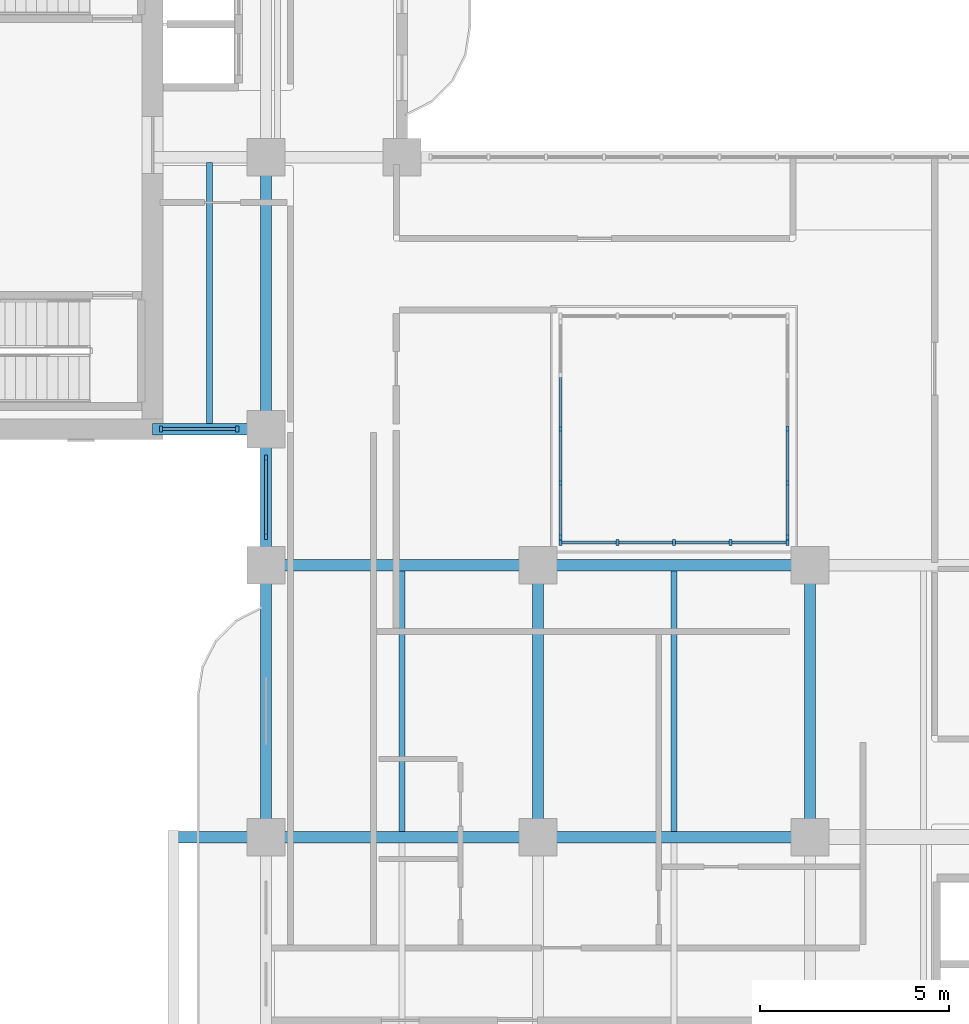
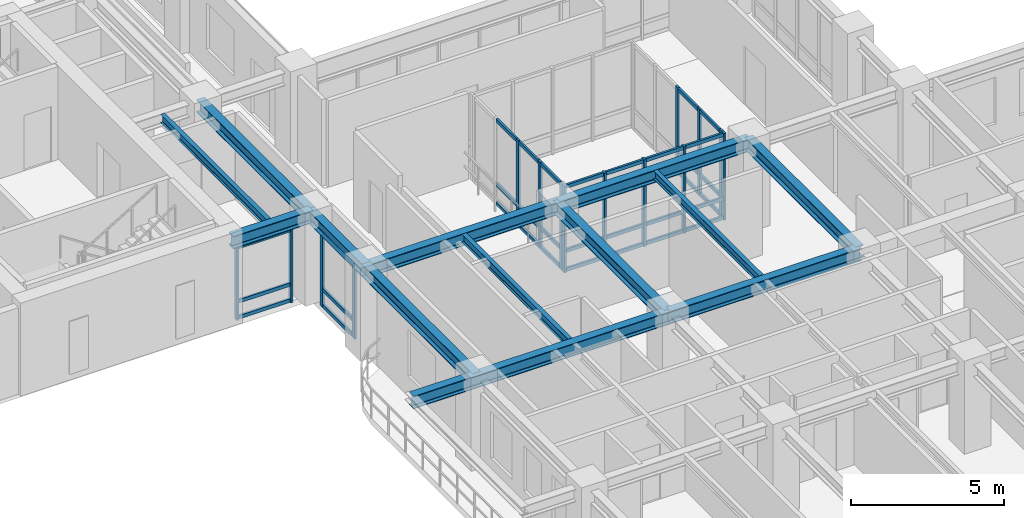
# One storey, part 2 of 19: 48 members, 13 beams, 5 elements without a shape of their own.
"""IFC4 building model written with IfcOpenShell, lengths in metres."""

from ifc_helpers import new_model, si_unit, derived_unit, direction, frame, origin, origin_2d, place, context, subcontext, project, spatial, rectangle, i_section, extrude, source, transform, mapped, material, layer, layer_set, material_profile, profile_set, type_object, type_shapes, element, aggregate, save


model = new_model("IFC4")

# Units and contexts
model_context = context("Model", 3, precision=1e-05, world=origin(), true_north=direction((0.0, 1.0)))
body_context = subcontext(model_context, "Body", "Model", "MODEL_VIEW")
ifc_project = project(units=[si_unit("LENGTHUNIT", "METRE"), si_unit("AREAUNIT", "SQUARE_METRE"), si_unit("VOLUMEUNIT", "CUBIC_METRE"), si_unit("PLANEANGLEUNIT", "RADIAN"), si_unit("MASSUNIT", "GRAM", prefix="KILO"), si_unit("THERMODYNAMICTEMPERATUREUNIT", "KELVIN"), si_unit("POWERUNIT", "WATT"), derived_unit("THERMALTRANSMITTANCEUNIT", [(si_unit("POWERUNIT", "WATT"), 1), (si_unit("AREAUNIT", "SQUARE_METRE"), -1), (si_unit("THERMODYNAMICTEMPERATUREUNIT", "KELVIN"), -1)])], contexts=[model_context])

# Site, building, storey
site_placement = place(None, origin())
site = spatial("IfcSite", under=ifc_project, at=site_placement, CompositionType="ELEMENT")
building_placement = place(site_placement, origin())
building = spatial("IfcBuilding", under=site, at=building_placement, Name="Zahravan Archway Hotel and Residences", CompositionType="ELEMENT")
storey_placement = place(building_placement, frame((0.0, 0.0, 134.0)))
storey = spatial("IfcBuildingStorey", under=building, at=storey_placement, Name="L33", CompositionType="ELEMENT", Elevation=134.0)

# Beams
ifc_material_1 = material(Name="Structural Steel S355JR", Category="steel")
ifc_material_profile_1 = material_profile(ifc_material_1, i_section(OverallWidth=0.300048828125, OverallDepth=0.5, WebThickness=0.014404296875, FlangeThickness=0.028076171875, FilletRadius=0.027099609375, at=origin_2d()), Name="HEB 500", Category="steel")
ifc_profile_set_1 = profile_set([ifc_material_profile_1], Name="Structural Steel S355JR")
beam_type_1 = type_object("IfcBeamType", Name="BM-PRI-HEB500", PredefinedType="BEAM", material=ifc_profile_set_1)
shared_shape_1 = source(origin(), body_context, "Body", "SweptSolid", [
    extrude(i_section(OverallWidth=0.300048828125, OverallDepth=0.5, WebThickness=0.014404296875, FlangeThickness=0.028076171875, FilletRadius=0.027099609375, at=origin_2d()), origin(), (0.0, 0.0, 1.0), 7.2001953125),
])
type_shapes(beam_type_1, [shared_shape_1])
for number, where, z_axis, x_axis, name in (
    (1, (14.39990234375, 21.60009765625, 3.199951171875), (1.0, 0.0, 0.0), (0.0, 1.0, 0.0), "L33 Primary Girder EW-11"),
    (2, (14.39990234375, 14.39990234375, 3.199951171875), (0.0, 1.0, 0.0), (-1.0, 0.0, 0.0), "L33 Primary Girder NS-30"),
    (3, (21.60009765625, 14.39990234375, 3.199951171875), (0.0, 1.0, 0.0), (-1.0, 0.0, 0.0), "L33 Primary Girder NS-37"),
    (4, (28.800048828125, 14.39990234375, 3.199951171875), (0.0, 1.0, 0.0), (-1.0, 0.0, 0.0), "L33 Primary Girder NS-40"),
):
    element("IfcBeam", number, at=place(storey_placement, frame(where, z_axis=z_axis, x_axis=x_axis)), inside=storey, type_object=beam_type_1, Name=name, PredefinedType="BEAM", context=body_context, shape_type="MappedRepresentation", body=[
        mapped(shared_shape_1, transform((0.0, 0.0, 0.0), scale=1.0)),
    ])
shared_shape_2 = source(origin(), body_context, "Body", "SweptSolid", [
    extrude(i_section(OverallWidth=0.300048828125, OverallDepth=0.5, WebThickness=0.014404296875, FlangeThickness=0.028076171875, FilletRadius=0.027099609375, at=origin_2d()), origin(), (0.0, 0.0, 1.0), 7.199951171875),
])
for number, where, z_axis, x_axis, name in (
    (5, (21.60009765625, 14.39990234375, 3.199951171875), (1.0, 0.0, 0.0), (0.0, 1.0, 0.0), "L33 Primary Girder EW-10"),
    (6, (21.60009765625, 21.60009765625, 3.199951171875), (1.0, 0.0, 0.0), (0.0, 1.0, 0.0), "L33 Primary Girder EW-12"),
    (7, (14.39990234375, 25.199951171875, 3.199951171875), (0.0, 1.0, 0.0), (-1.0, 0.0, 0.0), "L33 Primary Girder NS-32"),
):
    element("IfcBeam", number, at=place(storey_placement, frame(where, z_axis=z_axis, x_axis=x_axis)), inside=storey, type_object=beam_type_1, Name=name, PredefinedType="BEAM", context=body_context, shape_type="MappedRepresentation", body=[
        mapped(shared_shape_2, transform((0.0, 0.0, 0.0), scale=1.0)),
    ])
shared_shape_3 = source(origin(), body_context, "Body", "SweptSolid", [
    extrude(i_section(OverallWidth=0.300048828125, OverallDepth=0.5, WebThickness=0.014404296875, FlangeThickness=0.028076171875, FilletRadius=0.027099609375, at=origin_2d()), origin(), (0.0, 0.0, 1.0), 9.650146484375),
])
beam_1_placement = place(storey_placement, frame((11.949951171875, 14.39990234375, 3.199951171875), z_axis=(1.0, 0.0, 0.0), x_axis=(0.0, 1.0, 0.0)))
element("IfcBeam", 8, at=beam_1_placement, inside=storey, type_object=beam_type_1, Name="L33 Primary Girder EW-09", PredefinedType="BEAM", context=body_context, shape_type="MappedRepresentation", body=[
    mapped(shared_shape_3, transform((0.0, 0.0, 0.0), scale=1.0)),
])
shared_shape_4 = source(origin(), body_context, "Body", "SweptSolid", [
    extrude(i_section(OverallWidth=0.300048828125, OverallDepth=0.5, WebThickness=0.014404296875, FlangeThickness=0.028076171875, FilletRadius=0.027099609375, at=origin_2d()), origin(), (0.0, 0.0, 1.0), 3.0),
])
beam_2_placement = place(storey_placement, frame((11.39990234375, 25.199951171875, 3.199951171875), z_axis=(1.0, 0.0, 0.0), x_axis=(0.0, 1.0, 0.0)))
element("IfcBeam", 9, at=beam_2_placement, inside=storey, type_object=beam_type_1, Name="L33 Primary Girder EW-16", PredefinedType="BEAM", context=body_context, shape_type="MappedRepresentation", body=[
    mapped(shared_shape_4, transform((0.0, 0.0, 0.0), scale=1.0)),
])
shared_shape_5 = source(origin(), body_context, "Body", "SweptSolid", [
    extrude(i_section(OverallWidth=0.300048828125, OverallDepth=0.5, WebThickness=0.014404296875, FlangeThickness=0.028076171875, FilletRadius=0.027099609375, at=origin_2d()), origin(), (0.0, 0.0, 1.0), 3.599853515625),
])
beam_3_placement = place(storey_placement, frame((14.39990234375, 21.60009765625, 3.199951171875), z_axis=(0.0, 1.0, 0.0), x_axis=(-1.0, 0.0, 0.0)))
element("IfcBeam", 10, at=beam_3_placement, inside=storey, type_object=beam_type_1, Name="L33 Primary Girder NS-31", PredefinedType="BEAM", context=body_context, shape_type="MappedRepresentation", body=[
    mapped(shared_shape_5, transform((0.0, 0.0, 0.0), scale=1.0)),
])
ifc_material_profile_2 = material_profile(ifc_material_1, i_section(OverallWidth=0.159912109375, OverallDepth=0.330078125, WebThickness=0.007568359375, FlangeThickness=0.011474609375, FilletRadius=0.01806640625, at=origin_2d()), Name="IPE 330", Category="steel")
ifc_profile_set_2 = profile_set([ifc_material_profile_2], Name="Structural Steel S355JR")
beam_type_2 = type_object("IfcBeamType", Name="BM-JST-IPE330", PredefinedType="JOIST", material=ifc_profile_set_2)
shared_shape_6 = source(origin(), body_context, "Body", "SweptSolid", [
    extrude(i_section(OverallWidth=0.159912109375, OverallDepth=0.330078125, WebThickness=0.007568359375, FlangeThickness=0.011474609375, FilletRadius=0.01806640625, at=origin_2d()), origin(), (0.0, 0.0, 1.0), 6.904052734375),
])
type_shapes(beam_type_2, [shared_shape_6])
beam_4_placement = place(storey_placement, frame((12.89990234375, 25.347900390625, 3.284912109375), z_axis=(0.0, 1.0, 0.0), x_axis=(-1.0, 0.0, 0.0)))
element("IfcBeam", 11, at=beam_4_placement, inside=storey, type_object=beam_type_2, Name="L33 Composite Floor Joist 10", PredefinedType="JOIST", context=body_context, shape_type="MappedRepresentation", body=[
    mapped(shared_shape_6, transform((0.0, 0.0, 0.0), scale=1.0)),
])
shared_shape_7 = source(origin(), body_context, "Body", "SweptSolid", [
    extrude(i_section(OverallWidth=0.159912109375, OverallDepth=0.330078125, WebThickness=0.007568359375, FlangeThickness=0.011474609375, FilletRadius=0.01806640625, at=origin_2d()), origin(), (0.0, 0.0, 1.0), 6.90380859375),
])
for number, where, z_axis, x_axis, name in (
    (12, (18.0, 14.548095703125, 3.284912109375), (0.0, 1.0, 0.0), (-1.0, 0.0, 0.0), "L33 Composite Floor Joist 08"),
    (13, (25.199951171875, 14.548095703125, 3.284912109375), (0.0, 1.0, 0.0), (-1.0, 0.0, 0.0), "L33 Composite Floor Joist 09"),
):
    element("IfcBeam", number, at=place(storey_placement, frame(where, z_axis=z_axis, x_axis=x_axis)), inside=storey, type_object=beam_type_2, Name=name, PredefinedType="JOIST", context=body_context, shape_type="MappedRepresentation", body=[
        mapped(shared_shape_7, transform((0.0, 0.0, 0.0), scale=1.0)),
    ])

# Curtain wall, members
ifc_material_2 = material(Name="Bronze-Anodized Unitised Aluminium & Low-E Glass", Category="aluminium")
ifc_layer = layer(ifc_material_2, 0.179931640625, Name="Bronze-Anodized Unitised Aluminium & Low-E Glass", Category="aluminium")
ifc_layer_set = layer_set([ifc_layer], Name="Bronze-Anodized Unitised Aluminium & Low-E Glass")
curtain_wall_type = type_object("IfcCurtainWallType", Name="CW-ATR-GLAZ", PredefinedType="NOTDEFINED", material=ifc_layer_set)
curtain_wall_1_placement = place(storey_placement, origin())
curtain_wall_1 = element("IfcCurtainWall", 14, at=curtain_wall_1_placement, inside=storey, type_object=curtain_wall_type, Name="L33 Curtain Wall CW-L33-WB-SE-1", PredefinedType="NOTDEFINED")
ifc_material_3 = material(Name="Bronze-Anodized Extruded Aluminium", Category="aluminium")
ifc_material_profile_3 = material_profile(ifc_material_3, rectangle(XDim=0.080078125, YDim=0.139892578125, at=origin_2d()), Name="TRN 80x140", Category="aluminium")
ifc_profile_set_3 = profile_set([ifc_material_profile_3], Name="Bronze-Anodized Extruded Aluminium")
member_type_1 = type_object("IfcMemberType", Name="CWM-TRN-140", PredefinedType="USERDEFINED", material=ifc_profile_set_3)
shared_shape_8 = source(origin(), body_context, "Body", "SweptSolid", [
    extrude(rectangle(XDim=0.080078125, YDim=0.139892578125, at=origin_2d()), origin(), (0.0, 0.0, 1.0), 1.940185546875),
])
member_1_placement = place(storey_placement, frame((11.659912109375, 25.199951171875, 0.070068359375), z_axis=(1.0, 0.0, 0.0), x_axis=(0.0, 1.0, 0.0)))
member_1 = element("IfcMember", 15, at=member_1_placement, type_object=member_type_1, Name="CW-L33-WB-SE-1 Transom 0-1", ObjectType="TRANSOM", PredefinedType="USERDEFINED", context=body_context, shape_type="MappedRepresentation", body=[
    mapped(shared_shape_8, transform((0.0, 0.0, 0.0), scale=1.0)),
])
member_2_placement = place(storey_placement, frame((11.659912109375, 25.199951171875, 0.704345703125), z_axis=(1.0, 0.0, 0.0), x_axis=(0.0, 1.0, 0.0)))
member_2 = element("IfcMember", 16, at=member_2_placement, type_object=member_type_1, Name="CW-L33-WB-SE-1 Transom 0-2", ObjectType="TRANSOM", PredefinedType="USERDEFINED", context=body_context, shape_type="MappedRepresentation", body=[
    mapped(shared_shape_8, transform((0.0, 0.0, 0.0), scale=1.0)),
])
member_3_placement = place(storey_placement, frame((11.659912109375, 25.199951171875, 2.864990234375), z_axis=(1.0, 0.0, 0.0), x_axis=(0.0, 1.0, 0.0)))
member_3 = element("IfcMember", 17, at=member_3_placement, type_object=member_type_1, Name="CW-L33-WB-SE-1 Transom 0-3", ObjectType="TRANSOM", PredefinedType="USERDEFINED", context=body_context, shape_type="MappedRepresentation", body=[
    mapped(shared_shape_8, transform((0.0, 0.0, 0.0), scale=1.0)),
])

curtain_wall_2_placement = place(storey_placement, origin())
curtain_wall_2 = element("IfcCurtainWall", 18, at=curtain_wall_2_placement, inside=storey, type_object=curtain_wall_type, Name="L33 Curtain Wall CW-L33-WA-WLU-1", PredefinedType="NOTDEFINED")
shared_shape_9 = source(origin(), body_context, "Body", "SweptSolid", [
    extrude(rectangle(XDim=0.080078125, YDim=0.139892578125, at=origin_2d()), origin(), (0.0, 0.0, 1.0), 2.0),
])
member_4_placement = place(storey_placement, frame((14.39990234375, 22.39990234375, 0.070068359375), z_axis=(0.0, 1.0, 0.0), x_axis=(-1.0, 0.0, 0.0)))
member_4 = element("IfcMember", 19, at=member_4_placement, type_object=member_type_1, Name="CW-L33-WA-WLU-1 Transom 0-1", ObjectType="TRANSOM", PredefinedType="USERDEFINED", context=body_context, shape_type="MappedRepresentation", body=[
    mapped(shared_shape_9, transform((0.0, 0.0, 0.0), scale=1.0)),
])
member_5_placement = place(storey_placement, frame((14.39990234375, 22.39990234375, 0.704345703125), z_axis=(0.0, 1.0, 0.0), x_axis=(-1.0, 0.0, 0.0)))
member_5 = element("IfcMember", 20, at=member_5_placement, type_object=member_type_1, Name="CW-L33-WA-WLU-1 Transom 0-2", ObjectType="TRANSOM", PredefinedType="USERDEFINED", context=body_context, shape_type="MappedRepresentation", body=[
    mapped(shared_shape_9, transform((0.0, 0.0, 0.0), scale=1.0)),
])
member_6_placement = place(storey_placement, frame((14.39990234375, 22.39990234375, 2.864990234375), z_axis=(0.0, 1.0, 0.0), x_axis=(-1.0, 0.0, 0.0)))
member_6 = element("IfcMember", 21, at=member_6_placement, type_object=member_type_1, Name="CW-L33-WA-WLU-1 Transom 0-3", ObjectType="TRANSOM", PredefinedType="USERDEFINED", context=body_context, shape_type="MappedRepresentation", body=[
    mapped(shared_shape_9, transform((0.0, 0.0, 0.0), scale=1.0)),
])

curtain_wall_3_placement = place(storey_placement, origin())
curtain_wall_3 = element("IfcCurtainWall", 22, at=curtain_wall_3_placement, inside=storey, type_object=curtain_wall_type, Name="L33 Curtain Wall CW-ATR-L33-S-1", PredefinedType="NOTDEFINED")
ifc_material_profile_4 = material_profile(ifc_material_3, rectangle(XDim=0.080078125, YDim=0.159912109375, at=origin_2d()), Name="MUL 80x160", Category="aluminium")
ifc_profile_set_4 = profile_set([ifc_material_profile_4], Name="Bronze-Anodized Extruded Aluminium")
member_type_2 = type_object("IfcMemberType", Name="CWM-MUL-160", PredefinedType="MULLION", material=ifc_profile_set_4)
shared_shape_10 = source(origin(), body_context, "Body", "SweptSolid", [
    extrude(rectangle(XDim=0.080078125, YDim=0.159912109375, at=origin_2d()), origin(), (0.0, 0.0, 1.0), 3.449951171875),
])
member_7_placement = place(storey_placement, frame((22.199951171875, 22.199951171875, 0.0), z_axis=(0.0, 0.0, 1.0), x_axis=(1.0, 0.0, 0.0)))
member_7 = element("IfcMember", 23, at=member_7_placement, type_object=member_type_2, Name="CW-ATR-L33-S-1 Mullion 0", PredefinedType="MULLION", context=body_context, shape_type="MappedRepresentation", body=[
    mapped(shared_shape_10, transform((0.0, 0.0, 0.0), scale=1.0)),
])
member_8_placement = place(storey_placement, frame((23.699951171875, 22.199951171875, 0.0), z_axis=(0.0, 0.0, 1.0), x_axis=(1.0, 0.0, 0.0)))
member_8 = element("IfcMember", 24, at=member_8_placement, type_object=member_type_2, Name="CW-ATR-L33-S-1 Mullion 1", PredefinedType="MULLION", context=body_context, shape_type="MappedRepresentation", body=[
    mapped(shared_shape_10, transform((0.0, 0.0, 0.0), scale=1.0)),
])
member_9_placement = place(storey_placement, frame((25.199951171875, 22.199951171875, 0.0), z_axis=(0.0, 0.0, 1.0), x_axis=(1.0, 0.0, 0.0)))
member_9 = element("IfcMember", 25, at=member_9_placement, type_object=member_type_2, Name="CW-ATR-L33-S-1 Mullion 2", PredefinedType="MULLION", context=body_context, shape_type="MappedRepresentation", body=[
    mapped(shared_shape_10, transform((0.0, 0.0, 0.0), scale=1.0)),
])
member_10_placement = place(storey_placement, frame((26.699951171875, 22.199951171875, 0.0), z_axis=(0.0, 0.0, 1.0), x_axis=(1.0, 0.0, 0.0)))
member_10 = element("IfcMember", 26, at=member_10_placement, type_object=member_type_2, Name="CW-ATR-L33-S-1 Mullion 3", PredefinedType="MULLION", context=body_context, shape_type="MappedRepresentation", body=[
    mapped(shared_shape_10, transform((0.0, 0.0, 0.0), scale=1.0)),
])
member_11_placement = place(storey_placement, frame((28.199951171875, 22.199951171875, 0.0), z_axis=(0.0, 0.0, 1.0), x_axis=(1.0, 0.0, 0.0)))
member_11 = element("IfcMember", 27, at=member_11_placement, type_object=member_type_2, Name="CW-ATR-L33-S-1 Mullion 4", PredefinedType="MULLION", context=body_context, shape_type="MappedRepresentation", body=[
    mapped(shared_shape_10, transform((0.0, 0.0, 0.0), scale=1.0)),
])

curtain_wall_4_placement = place(storey_placement, origin())
curtain_wall_4 = element("IfcCurtainWall", 28, at=curtain_wall_4_placement, inside=storey, type_object=curtain_wall_type, Name="L33 Curtain Wall CW-ATR-L33-W-1", PredefinedType="NOTDEFINED")
member_12_placement = place(storey_placement, frame((22.199951171875, 22.35009765625, 0.0), z_axis=(0.0, 0.0, 1.0), x_axis=(1.0, 0.0, 0.0)))
member_12 = element("IfcMember", 29, at=member_12_placement, type_object=member_type_2, Name="CW-ATR-L33-W-1 Mullion 0", PredefinedType="MULLION", context=body_context, shape_type="MappedRepresentation", body=[
    mapped(shared_shape_10, transform((0.0, 0.0, 0.0), scale=1.0)),
])
member_13_placement = place(storey_placement, frame((22.199951171875, 23.77490234375, 0.0), z_axis=(0.0, 0.0, 1.0), x_axis=(1.0, 0.0, 0.0)))
member_13 = element("IfcMember", 30, at=member_13_placement, type_object=member_type_2, Name="CW-ATR-L33-W-1 Mullion 1", PredefinedType="MULLION", context=body_context, shape_type="MappedRepresentation", body=[
    mapped(shared_shape_10, transform((0.0, 0.0, 0.0), scale=1.0)),
])
member_14_placement = place(storey_placement, frame((22.199951171875, 25.199951171875, 0.0), z_axis=(0.0, 0.0, 1.0), x_axis=(1.0, 0.0, 0.0)))
member_14 = element("IfcMember", 31, at=member_14_placement, type_object=member_type_2, Name="CW-ATR-L33-W-1 Mullion 2", PredefinedType="MULLION", context=body_context, shape_type="MappedRepresentation", body=[
    mapped(shared_shape_10, transform((0.0, 0.0, 0.0), scale=1.0)),
])

curtain_wall_5_placement = place(storey_placement, origin())
curtain_wall_5 = element("IfcCurtainWall", 32, at=curtain_wall_5_placement, inside=storey, type_object=curtain_wall_type, Name="L33 Curtain Wall CW-ATR-L33-E-1", PredefinedType="NOTDEFINED")
member_15_placement = place(storey_placement, frame((28.199951171875, 22.35009765625, 0.0), z_axis=(0.0, 0.0, 1.0), x_axis=(1.0, 0.0, 0.0)))
member_15 = element("IfcMember", 33, at=member_15_placement, type_object=member_type_2, Name="CW-ATR-L33-E-1 Mullion 0", PredefinedType="MULLION", context=body_context, shape_type="MappedRepresentation", body=[
    mapped(shared_shape_10, transform((0.0, 0.0, 0.0), scale=1.0)),
])
member_16_placement = place(storey_placement, frame((28.199951171875, 23.77490234375, 0.0), z_axis=(0.0, 0.0, 1.0), x_axis=(1.0, 0.0, 0.0)))
member_16 = element("IfcMember", 34, at=member_16_placement, type_object=member_type_2, Name="CW-ATR-L33-E-1 Mullion 1", PredefinedType="MULLION", context=body_context, shape_type="MappedRepresentation", body=[
    mapped(shared_shape_10, transform((0.0, 0.0, 0.0), scale=1.0)),
])
member_17_placement = place(storey_placement, frame((28.199951171875, 25.199951171875, 0.0), z_axis=(0.0, 0.0, 1.0), x_axis=(1.0, 0.0, 0.0)))
member_17 = element("IfcMember", 35, at=member_17_placement, type_object=member_type_2, Name="CW-ATR-L33-E-1 Mullion 2", PredefinedType="MULLION", context=body_context, shape_type="MappedRepresentation", body=[
    mapped(shared_shape_10, transform((0.0, 0.0, 0.0), scale=1.0)),
])

# Member
shared_shape_11 = source(origin(), body_context, "Body", "SweptSolid", [
    extrude(rectangle(XDim=0.080078125, YDim=0.139892578125, at=origin_2d()), origin(), (0.0, 0.0, 1.0), 1.419921875),
])
member_18_placement = place(storey_placement, frame((22.239990234375, 22.199951171875, 0.070068359375), z_axis=(1.0, 0.0, 0.0), x_axis=(0.0, 1.0, 0.0)))
member_18 = element("IfcMember", 36, at=member_18_placement, type_object=member_type_1, Name="CW-ATR-L33-S-1 Transom 0-1", ObjectType="TRANSOM", PredefinedType="USERDEFINED", context=body_context, shape_type="MappedRepresentation", body=[
    mapped(shared_shape_11, transform((0.0, 0.0, 0.0), scale=1.0)),
])

member_19_placement = place(storey_placement, frame((22.239990234375, 22.199951171875, 0.827880859375), z_axis=(1.0, 0.0, 0.0), x_axis=(0.0, 1.0, 0.0)))
member_19 = element("IfcMember", 37, at=member_19_placement, type_object=member_type_1, Name="CW-ATR-L33-S-1 Transom 0-2", ObjectType="TRANSOM", PredefinedType="USERDEFINED", context=body_context, shape_type="MappedRepresentation", body=[
    mapped(shared_shape_11, transform((0.0, 0.0, 0.0), scale=1.0)),
])

member_20_placement = place(storey_placement, frame((22.239990234375, 22.199951171875, 3.3798828125), z_axis=(1.0, 0.0, 0.0), x_axis=(0.0, 1.0, 0.0)))
member_20 = element("IfcMember", 38, at=member_20_placement, type_object=member_type_1, Name="CW-ATR-L33-S-1 Transom 0-3", ObjectType="TRANSOM", PredefinedType="USERDEFINED", context=body_context, shape_type="MappedRepresentation", body=[
    mapped(shared_shape_11, transform((0.0, 0.0, 0.0), scale=1.0)),
])

member_21_placement = place(storey_placement, frame((23.739990234375, 22.199951171875, 0.070068359375), z_axis=(1.0, 0.0, 0.0), x_axis=(0.0, 1.0, 0.0)))
member_21 = element("IfcMember", 39, at=member_21_placement, type_object=member_type_1, Name="CW-ATR-L33-S-1 Transom 1-1", ObjectType="TRANSOM", PredefinedType="USERDEFINED", context=body_context, shape_type="MappedRepresentation", body=[
    mapped(shared_shape_11, transform((0.0, 0.0, 0.0), scale=1.0)),
])

member_22_placement = place(storey_placement, frame((23.739990234375, 22.199951171875, 0.827880859375), z_axis=(1.0, 0.0, 0.0), x_axis=(0.0, 1.0, 0.0)))
member_22 = element("IfcMember", 40, at=member_22_placement, type_object=member_type_1, Name="CW-ATR-L33-S-1 Transom 1-2", ObjectType="TRANSOM", PredefinedType="USERDEFINED", context=body_context, shape_type="MappedRepresentation", body=[
    mapped(shared_shape_11, transform((0.0, 0.0, 0.0), scale=1.0)),
])

member_23_placement = place(storey_placement, frame((23.739990234375, 22.199951171875, 3.3798828125), z_axis=(1.0, 0.0, 0.0), x_axis=(0.0, 1.0, 0.0)))
member_23 = element("IfcMember", 41, at=member_23_placement, type_object=member_type_1, Name="CW-ATR-L33-S-1 Transom 1-3", ObjectType="TRANSOM", PredefinedType="USERDEFINED", context=body_context, shape_type="MappedRepresentation", body=[
    mapped(shared_shape_11, transform((0.0, 0.0, 0.0), scale=1.0)),
])

member_24_placement = place(storey_placement, frame((25.239990234375, 22.199951171875, 0.070068359375), z_axis=(1.0, 0.0, 0.0), x_axis=(0.0, 1.0, 0.0)))
member_24 = element("IfcMember", 42, at=member_24_placement, type_object=member_type_1, Name="CW-ATR-L33-S-1 Transom 2-1", ObjectType="TRANSOM", PredefinedType="USERDEFINED", context=body_context, shape_type="MappedRepresentation", body=[
    mapped(shared_shape_11, transform((0.0, 0.0, 0.0), scale=1.0)),
])

member_25_placement = place(storey_placement, frame((25.239990234375, 22.199951171875, 0.827880859375), z_axis=(1.0, 0.0, 0.0), x_axis=(0.0, 1.0, 0.0)))
member_25 = element("IfcMember", 43, at=member_25_placement, type_object=member_type_1, Name="CW-ATR-L33-S-1 Transom 2-2", ObjectType="TRANSOM", PredefinedType="USERDEFINED", context=body_context, shape_type="MappedRepresentation", body=[
    mapped(shared_shape_11, transform((0.0, 0.0, 0.0), scale=1.0)),
])

member_26_placement = place(storey_placement, frame((25.239990234375, 22.199951171875, 3.3798828125), z_axis=(1.0, 0.0, 0.0), x_axis=(0.0, 1.0, 0.0)))
member_26 = element("IfcMember", 44, at=member_26_placement, type_object=member_type_1, Name="CW-ATR-L33-S-1 Transom 2-3", ObjectType="TRANSOM", PredefinedType="USERDEFINED", context=body_context, shape_type="MappedRepresentation", body=[
    mapped(shared_shape_11, transform((0.0, 0.0, 0.0), scale=1.0)),
])

member_27_placement = place(storey_placement, frame((26.739990234375, 22.199951171875, 0.070068359375), z_axis=(1.0, 0.0, 0.0), x_axis=(0.0, 1.0, 0.0)))
member_27 = element("IfcMember", 45, at=member_27_placement, type_object=member_type_1, Name="CW-ATR-L33-S-1 Transom 3-1", ObjectType="TRANSOM", PredefinedType="USERDEFINED", context=body_context, shape_type="MappedRepresentation", body=[
    mapped(shared_shape_11, transform((0.0, 0.0, 0.0), scale=1.0)),
])

member_28_placement = place(storey_placement, frame((26.739990234375, 22.199951171875, 0.827880859375), z_axis=(1.0, 0.0, 0.0), x_axis=(0.0, 1.0, 0.0)))
member_28 = element("IfcMember", 46, at=member_28_placement, type_object=member_type_1, Name="CW-ATR-L33-S-1 Transom 3-2", ObjectType="TRANSOM", PredefinedType="USERDEFINED", context=body_context, shape_type="MappedRepresentation", body=[
    mapped(shared_shape_11, transform((0.0, 0.0, 0.0), scale=1.0)),
])

member_29_placement = place(storey_placement, frame((26.739990234375, 22.199951171875, 3.3798828125), z_axis=(1.0, 0.0, 0.0), x_axis=(0.0, 1.0, 0.0)))
member_29 = element("IfcMember", 47, at=member_29_placement, type_object=member_type_1, Name="CW-ATR-L33-S-1 Transom 3-3", ObjectType="TRANSOM", PredefinedType="USERDEFINED", context=body_context, shape_type="MappedRepresentation", body=[
    mapped(shared_shape_11, transform((0.0, 0.0, 0.0), scale=1.0)),
])

aggregate(curtain_wall_3, [member_7, member_8, member_9, member_10, member_11, member_18, member_19, member_20, member_21, member_22, member_23, member_24, member_25, member_26, member_27, member_28, member_29])

shared_shape_12 = source(origin(), body_context, "Body", "SweptSolid", [
    extrude(rectangle(XDim=0.080078125, YDim=0.139892578125, at=origin_2d()), origin(), (0.0, 0.0, 1.0), 1.34521484375),
])
member_30_placement = place(storey_placement, frame((22.199951171875, 22.389892578125, 0.070068359375), z_axis=(0.0, 1.0, 0.0), x_axis=(-1.0, 0.0, 0.0)))
member_30 = element("IfcMember", 48, at=member_30_placement, type_object=member_type_1, Name="CW-ATR-L33-W-1 Transom 0-1", ObjectType="TRANSOM", PredefinedType="USERDEFINED", context=body_context, shape_type="MappedRepresentation", body=[
    mapped(shared_shape_12, transform((0.0, 0.0, 0.0), scale=1.0)),
])

member_31_placement = place(storey_placement, frame((22.199951171875, 22.389892578125, 0.827880859375), z_axis=(0.0, 1.0, 0.0), x_axis=(-1.0, 0.0, 0.0)))
member_31 = element("IfcMember", 49, at=member_31_placement, type_object=member_type_1, Name="CW-ATR-L33-W-1 Transom 0-2", ObjectType="TRANSOM", PredefinedType="USERDEFINED", context=body_context, shape_type="MappedRepresentation", body=[
    mapped(shared_shape_12, transform((0.0, 0.0, 0.0), scale=1.0)),
])

member_32_placement = place(storey_placement, frame((22.199951171875, 22.389892578125, 3.3798828125), z_axis=(0.0, 1.0, 0.0), x_axis=(-1.0, 0.0, 0.0)))
member_32 = element("IfcMember", 50, at=member_32_placement, type_object=member_type_1, Name="CW-ATR-L33-W-1 Transom 0-3", ObjectType="TRANSOM", PredefinedType="USERDEFINED", context=body_context, shape_type="MappedRepresentation", body=[
    mapped(shared_shape_12, transform((0.0, 0.0, 0.0), scale=1.0)),
])

member_33_placement = place(storey_placement, frame((28.199951171875, 22.389892578125, 0.070068359375), z_axis=(0.0, 1.0, 0.0), x_axis=(-1.0, 0.0, 0.0)))
member_33 = element("IfcMember", 51, at=member_33_placement, type_object=member_type_1, Name="CW-ATR-L33-E-1 Transom 0-1", ObjectType="TRANSOM", PredefinedType="USERDEFINED", context=body_context, shape_type="MappedRepresentation", body=[
    mapped(shared_shape_12, transform((0.0, 0.0, 0.0), scale=1.0)),
])

member_34_placement = place(storey_placement, frame((28.199951171875, 22.389892578125, 0.827880859375), z_axis=(0.0, 1.0, 0.0), x_axis=(-1.0, 0.0, 0.0)))
member_34 = element("IfcMember", 52, at=member_34_placement, type_object=member_type_1, Name="CW-ATR-L33-E-1 Transom 0-2", ObjectType="TRANSOM", PredefinedType="USERDEFINED", context=body_context, shape_type="MappedRepresentation", body=[
    mapped(shared_shape_12, transform((0.0, 0.0, 0.0), scale=1.0)),
])

member_35_placement = place(storey_placement, frame((28.199951171875, 22.389892578125, 3.3798828125), z_axis=(0.0, 1.0, 0.0), x_axis=(-1.0, 0.0, 0.0)))
member_35 = element("IfcMember", 53, at=member_35_placement, type_object=member_type_1, Name="CW-ATR-L33-E-1 Transom 0-3", ObjectType="TRANSOM", PredefinedType="USERDEFINED", context=body_context, shape_type="MappedRepresentation", body=[
    mapped(shared_shape_12, transform((0.0, 0.0, 0.0), scale=1.0)),
])

shared_shape_13 = source(origin(), body_context, "Body", "SweptSolid", [
    extrude(rectangle(XDim=0.080078125, YDim=0.139892578125, at=origin_2d()), origin(), (0.0, 0.0, 1.0), 1.344970703125),
])
member_36_placement = place(storey_placement, frame((22.199951171875, 23.81494140625, 0.070068359375), z_axis=(0.0, 1.0, 0.0), x_axis=(-1.0, 0.0, 0.0)))
member_36 = element("IfcMember", 54, at=member_36_placement, type_object=member_type_1, Name="CW-ATR-L33-W-1 Transom 1-1", ObjectType="TRANSOM", PredefinedType="USERDEFINED", context=body_context, shape_type="MappedRepresentation", body=[
    mapped(shared_shape_13, transform((0.0, 0.0, 0.0), scale=1.0)),
])

member_37_placement = place(storey_placement, frame((22.199951171875, 23.81494140625, 0.827880859375), z_axis=(0.0, 1.0, 0.0), x_axis=(-1.0, 0.0, 0.0)))
member_37 = element("IfcMember", 55, at=member_37_placement, type_object=member_type_1, Name="CW-ATR-L33-W-1 Transom 1-2", ObjectType="TRANSOM", PredefinedType="USERDEFINED", context=body_context, shape_type="MappedRepresentation", body=[
    mapped(shared_shape_13, transform((0.0, 0.0, 0.0), scale=1.0)),
])

member_38_placement = place(storey_placement, frame((22.199951171875, 23.81494140625, 3.3798828125), z_axis=(0.0, 1.0, 0.0), x_axis=(-1.0, 0.0, 0.0)))
member_38 = element("IfcMember", 56, at=member_38_placement, type_object=member_type_1, Name="CW-ATR-L33-W-1 Transom 1-3", ObjectType="TRANSOM", PredefinedType="USERDEFINED", context=body_context, shape_type="MappedRepresentation", body=[
    mapped(shared_shape_13, transform((0.0, 0.0, 0.0), scale=1.0)),
])

member_39_placement = place(storey_placement, frame((22.199951171875, 25.239990234375, 0.070068359375), z_axis=(0.0, 1.0, 0.0), x_axis=(-1.0, 0.0, 0.0)))
member_39 = element("IfcMember", 57, at=member_39_placement, type_object=member_type_1, Name="CW-ATR-L33-W-1 Transom 2-1", ObjectType="TRANSOM", PredefinedType="USERDEFINED", context=body_context, shape_type="MappedRepresentation", body=[
    mapped(shared_shape_13, transform((0.0, 0.0, 0.0), scale=1.0)),
])

member_40_placement = place(storey_placement, frame((22.199951171875, 25.239990234375, 0.827880859375), z_axis=(0.0, 1.0, 0.0), x_axis=(-1.0, 0.0, 0.0)))
member_40 = element("IfcMember", 58, at=member_40_placement, type_object=member_type_1, Name="CW-ATR-L33-W-1 Transom 2-2", ObjectType="TRANSOM", PredefinedType="USERDEFINED", context=body_context, shape_type="MappedRepresentation", body=[
    mapped(shared_shape_13, transform((0.0, 0.0, 0.0), scale=1.0)),
])

member_41_placement = place(storey_placement, frame((22.199951171875, 25.239990234375, 3.3798828125), z_axis=(0.0, 1.0, 0.0), x_axis=(-1.0, 0.0, 0.0)))
member_41 = element("IfcMember", 59, at=member_41_placement, type_object=member_type_1, Name="CW-ATR-L33-W-1 Transom 2-3", ObjectType="TRANSOM", PredefinedType="USERDEFINED", context=body_context, shape_type="MappedRepresentation", body=[
    mapped(shared_shape_13, transform((0.0, 0.0, 0.0), scale=1.0)),
])

aggregate(curtain_wall_4, [member_12, member_13, member_14, member_30, member_31, member_32, member_36, member_37, member_38, member_39, member_40, member_41])

member_42_placement = place(storey_placement, frame((28.199951171875, 23.81494140625, 0.070068359375), z_axis=(0.0, 1.0, 0.0), x_axis=(-1.0, 0.0, 0.0)))
member_42 = element("IfcMember", 60, at=member_42_placement, type_object=member_type_1, Name="CW-ATR-L33-E-1 Transom 1-1", ObjectType="TRANSOM", PredefinedType="USERDEFINED", context=body_context, shape_type="MappedRepresentation", body=[
    mapped(shared_shape_13, transform((0.0, 0.0, 0.0), scale=1.0)),
])

member_43_placement = place(storey_placement, frame((28.199951171875, 23.81494140625, 0.827880859375), z_axis=(0.0, 1.0, 0.0), x_axis=(-1.0, 0.0, 0.0)))
member_43 = element("IfcMember", 61, at=member_43_placement, type_object=member_type_1, Name="CW-ATR-L33-E-1 Transom 1-2", ObjectType="TRANSOM", PredefinedType="USERDEFINED", context=body_context, shape_type="MappedRepresentation", body=[
    mapped(shared_shape_13, transform((0.0, 0.0, 0.0), scale=1.0)),
])

member_44_placement = place(storey_placement, frame((28.199951171875, 23.81494140625, 3.3798828125), z_axis=(0.0, 1.0, 0.0), x_axis=(-1.0, 0.0, 0.0)))
member_44 = element("IfcMember", 62, at=member_44_placement, type_object=member_type_1, Name="CW-ATR-L33-E-1 Transom 1-3", ObjectType="TRANSOM", PredefinedType="USERDEFINED", context=body_context, shape_type="MappedRepresentation", body=[
    mapped(shared_shape_13, transform((0.0, 0.0, 0.0), scale=1.0)),
])

aggregate(curtain_wall_5, [member_15, member_16, member_17, member_33, member_34, member_35, member_42, member_43, member_44])

shared_shape_14 = source(origin(), body_context, "Body", "SweptSolid", [
    extrude(rectangle(XDim=0.080078125, YDim=0.159912109375, at=origin_2d()), origin(), (0.0, 0.0, 1.0), 2.93505859375),
])
member_45_placement = place(storey_placement, frame((14.39990234375, 22.360107421875, 0.0), z_axis=(0.0, 0.0, 1.0), x_axis=(1.0, 0.0, 0.0)))
member_45 = element("IfcMember", 63, at=member_45_placement, type_object=member_type_2, Name="CW-L33-WA-WLU-1 Mullion 0", PredefinedType="MULLION", context=body_context, shape_type="MappedRepresentation", body=[
    mapped(shared_shape_14, transform((0.0, 0.0, 0.0), scale=1.0)),
])

member_46_placement = place(storey_placement, frame((14.39990234375, 24.43994140625, 0.0), z_axis=(0.0, 0.0, 1.0), x_axis=(1.0, 0.0, 0.0)))
member_46 = element("IfcMember", 64, at=member_46_placement, type_object=member_type_2, Name="CW-L33-WA-WLU-1 Mullion 1", PredefinedType="MULLION", context=body_context, shape_type="MappedRepresentation", body=[
    mapped(shared_shape_14, transform((0.0, 0.0, 0.0), scale=1.0)),
])

aggregate(curtain_wall_2, [member_45, member_46, member_4, member_5, member_6])

member_47_placement = place(storey_placement, frame((11.6201171875, 25.199951171875, 0.0), z_axis=(0.0, 0.0, 1.0), x_axis=(1.0, 0.0, 0.0)))
member_47 = element("IfcMember", 65, at=member_47_placement, type_object=member_type_2, Name="CW-L33-WB-SE-1 Mullion 0", PredefinedType="MULLION", context=body_context, shape_type="MappedRepresentation", body=[
    mapped(shared_shape_14, transform((0.0, 0.0, 0.0), scale=1.0)),
])

member_48_placement = place(storey_placement, frame((13.639892578125, 25.199951171875, 0.0), z_axis=(0.0, 0.0, 1.0), x_axis=(1.0, 0.0, 0.0)))
member_48 = element("IfcMember", 66, at=member_48_placement, type_object=member_type_2, Name="CW-L33-WB-SE-1 Mullion 1", PredefinedType="MULLION", context=body_context, shape_type="MappedRepresentation", body=[
    mapped(shared_shape_14, transform((0.0, 0.0, 0.0), scale=1.0)),
])

aggregate(curtain_wall_1, [member_47, member_48, member_1, member_2, member_3])

save(model, "model.ifc")
